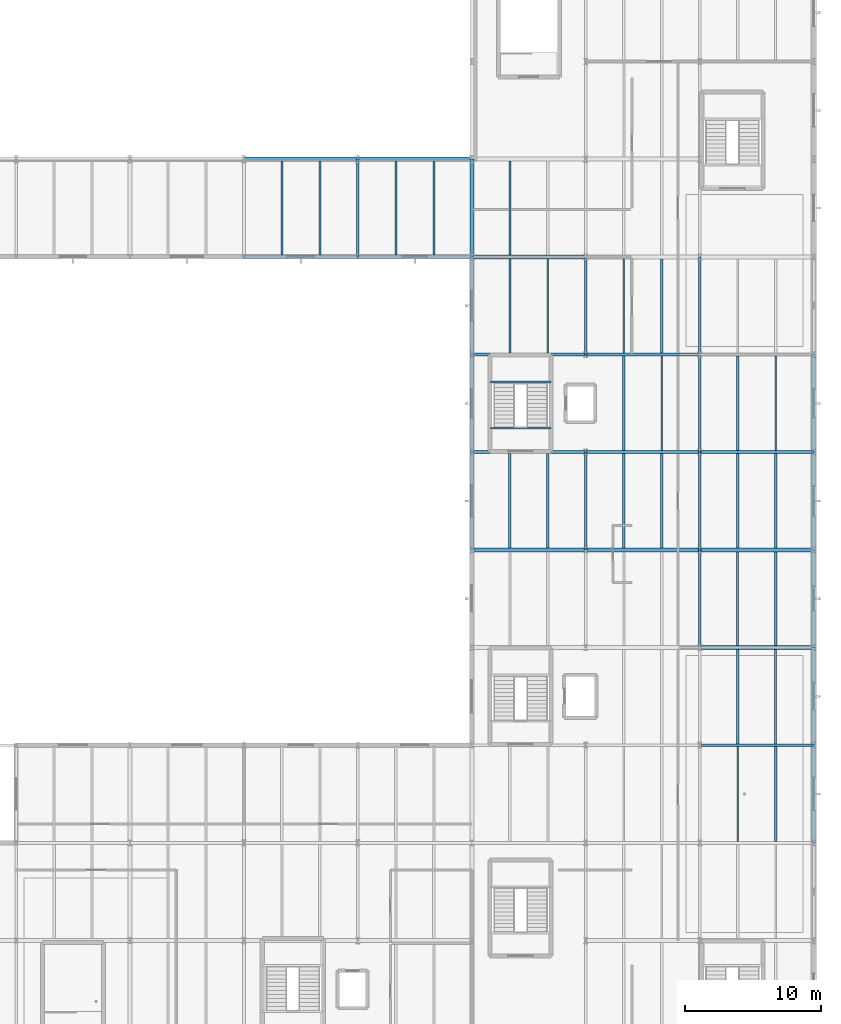
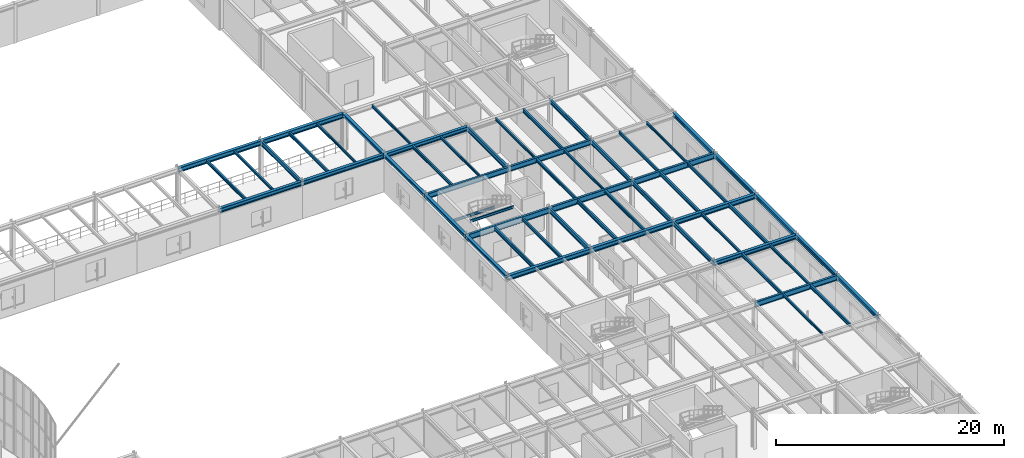
# One storey, part 43 of 109: 58 beams.
"""IFC4 building model written with IfcOpenShell, lengths in metres."""

from ifc_helpers import new_model, si_unit, derived_unit, direction, frame, origin, origin_2d, place, context, subcontext, project, spatial, i_section, extrude, material, material_profile, profile_set, type_object, element, save


model = new_model("IFC4")

# Units and contexts
model_context = context("Model", 3, precision=1e-05, world=origin(), true_north=direction((0.0, 1.0)))
body_context = subcontext(model_context, "Body", "Model", "MODEL_VIEW")
ifc_project = project(units=[si_unit("LENGTHUNIT", "METRE"), si_unit("AREAUNIT", "SQUARE_METRE"), si_unit("VOLUMEUNIT", "CUBIC_METRE"), si_unit("PLANEANGLEUNIT", "RADIAN"), si_unit("MASSUNIT", "GRAM", prefix="KILO"), derived_unit("THERMALTRANSMITTANCEUNIT", [(si_unit("MASSUNIT", "GRAM", prefix="KILO"), 1), (si_unit("TIMEUNIT", "SECOND"), -3), (si_unit("THERMODYNAMICTEMPERATUREUNIT", "KELVIN"), -1)])], contexts=[model_context])

# Site, building, storey
site_placement = place(None, origin())
site = spatial("IfcSite", under=ifc_project, at=site_placement, CompositionType="ELEMENT")
building_placement = place(site_placement, origin())
building = spatial("IfcBuilding", under=site, at=building_placement, Name="Kharveza Railside Sports Centre", CompositionType="ELEMENT")
storey_placement = place(building_placement, frame((0.0, 0.0, 4.5)))
storey = spatial("IfcBuildingStorey", under=building, at=storey_placement, Name="L01", CompositionType="ELEMENT", Elevation=4.5)

# Beams
ifc_material = material(Name="Steel S355J2", Category="steel")
ifc_material_profile_1 = material_profile(ifc_material, i_section(OverallWidth=0.219970703125, OverallDepth=0.60009765625, WebThickness=0.011962890625, FlangeThickness=0.01904296875, FilletRadius=0.02392578125, at=origin_2d()), Name="IPE 600")
ifc_profile_set_1 = profile_set([ifc_material_profile_1], Name="Steel S355J2")
beam_type_1 = type_object("IfcBeamType", Name="BM-G01", PredefinedType="T_BEAM", material=ifc_profile_set_1)
beam_1_placement = place(storey_placement, frame((142.800048828125, 57.60009765625, 3.699951171875), z_axis=(1.0, 0.0, 0.0), x_axis=(0.0, 1.0, 0.0)))
element("IfcBeam", 1, at=beam_1_placement, inside=storey, type_object=beam_type_1, Name="BM-EW-L01-B01-X1428-Y576", PredefinedType="T_BEAM", context=body_context, shape_type="SweptSolid", body=[
    extrude(i_section(OverallWidth=0.219970703125, OverallDepth=0.60009765625, WebThickness=0.011962890625, FlangeThickness=0.01904296875, FilletRadius=0.02392578125, at=origin_2d()), origin(), (0.0, 0.0, 1.0), 8.39990234375),
])
beam_2_placement = place(storey_placement, frame((151.199951171875, 57.60009765625, 3.699951171875), z_axis=(1.0, 0.0, 0.0), x_axis=(0.0, 1.0, 0.0)))
element("IfcBeam", 2, at=beam_2_placement, inside=storey, type_object=beam_type_1, Name="BM-EW-L01-B01-X1512-Y576", PredefinedType="T_BEAM", context=body_context, shape_type="SweptSolid", body=[
    extrude(i_section(OverallWidth=0.219970703125, OverallDepth=0.60009765625, WebThickness=0.011962890625, FlangeThickness=0.01904296875, FilletRadius=0.02392578125, at=origin_2d()), origin(), (0.0, 0.0, 1.0), 8.400146484375),
])
beam_3_placement = place(storey_placement, frame((159.60009765625, 57.60009765625, 3.699951171875), z_axis=(1.0, 0.0, 0.0), x_axis=(0.0, 1.0, 0.0)))
element("IfcBeam", 3, at=beam_3_placement, inside=storey, type_object=beam_type_1, Name="BM-EW-L01-B01-X1596-Y576", PredefinedType="T_BEAM", context=body_context, shape_type="SweptSolid", body=[
    extrude(i_section(OverallWidth=0.219970703125, OverallDepth=0.60009765625, WebThickness=0.011962890625, FlangeThickness=0.01904296875, FilletRadius=0.02392578125, at=origin_2d()), origin(), (0.0, 0.0, 1.0), 8.39990234375),
])
ifc_material_profile_2 = material_profile(ifc_material, i_section(OverallWidth=0.2099609375, OverallDepth=0.550048828125, WebThickness=0.010986328125, FlangeThickness=0.01708984375, FilletRadius=0.02392578125, at=origin_2d()), Name="IPE 550")
ifc_profile_set_2 = profile_set([ifc_material_profile_2], Name="Steel S355J2")
beam_type_2 = type_object("IfcBeamType", Name="BM-G02", PredefinedType="T_BEAM", material=ifc_profile_set_2)
beam_4_placement = place(storey_placement, frame((142.800048828125, 64.800048828125, 3.72509765625), z_axis=(1.0, 0.0, 0.0), x_axis=(0.0, 1.0, 0.0)))
element("IfcBeam", 4, at=beam_4_placement, inside=storey, type_object=beam_type_2, Name="BM-EW-L01-B02-X1428-Y648", PredefinedType="T_BEAM", context=body_context, shape_type="SweptSolid", body=[
    extrude(i_section(OverallWidth=0.2099609375, OverallDepth=0.550048828125, WebThickness=0.010986328125, FlangeThickness=0.01708984375, FilletRadius=0.02392578125, at=origin_2d()), origin(), (0.0, 0.0, 1.0), 8.39990234375),
])
beam_5_placement = place(storey_placement, frame((151.199951171875, 64.800048828125, 3.72509765625), z_axis=(1.0, 0.0, 0.0), x_axis=(0.0, 1.0, 0.0)))
element("IfcBeam", 5, at=beam_5_placement, inside=storey, type_object=beam_type_2, Name="BM-EW-L01-B02-X1512-Y648", PredefinedType="T_BEAM", context=body_context, shape_type="SweptSolid", body=[
    extrude(i_section(OverallWidth=0.2099609375, OverallDepth=0.550048828125, WebThickness=0.010986328125, FlangeThickness=0.01708984375, FilletRadius=0.02392578125, at=origin_2d()), origin(), (0.0, 0.0, 1.0), 8.400146484375),
])
beam_6_placement = place(storey_placement, frame((159.60009765625, 36.0, 3.72509765625), z_axis=(1.0, 0.0, 0.0), x_axis=(0.0, 1.0, 0.0)))
element("IfcBeam", 6, at=beam_6_placement, inside=storey, type_object=beam_type_2, Name="BM-EW-L01-B02-X1596-Y360", PredefinedType="T_BEAM", context=body_context, shape_type="SweptSolid", body=[
    extrude(i_section(OverallWidth=0.2099609375, OverallDepth=0.550048828125, WebThickness=0.010986328125, FlangeThickness=0.01708984375, FilletRadius=0.02392578125, at=origin_2d()), origin(), (0.0, 0.0, 1.0), 8.39990234375),
])
ifc_material_profile_3 = material_profile(ifc_material, i_section(OverallWidth=0.199951171875, OverallDepth=0.5, WebThickness=0.01025390625, FlangeThickness=0.01611328125, FilletRadius=0.02099609375, at=origin_2d()), Name="IPE 500")
ifc_profile_set_3 = profile_set([ifc_material_profile_3], Name="Steel S355J2")
beam_type_3 = type_object("IfcBeamType", Name="BM-G03", PredefinedType="T_BEAM", material=ifc_profile_set_3)
beam_7_placement = place(storey_placement, frame((151.199951171875, 50.39990234375, 3.75), z_axis=(0.0, 1.0, 0.0), x_axis=(-1.0, 0.0, 0.0)))
element("IfcBeam", 7, at=beam_7_placement, inside=storey, type_object=beam_type_3, Name="BM-NS-L01-B03-X1512-Y504", PredefinedType="T_BEAM", context=body_context, shape_type="SweptSolid", body=[
    extrude(i_section(OverallWidth=0.199951171875, OverallDepth=0.5, WebThickness=0.01025390625, FlangeThickness=0.01611328125, FilletRadius=0.02099609375, at=origin_2d()), origin(), (0.0, 0.0, 1.0), 7.2001953125),
])
beam_8_placement = place(storey_placement, frame((151.199951171875, 64.800048828125, 3.75), z_axis=(0.0, 1.0, 0.0), x_axis=(-1.0, 0.0, 0.0)))
element("IfcBeam", 8, at=beam_8_placement, inside=storey, type_object=beam_type_3, Name="BM-NS-L01-B03-X1512-Y648", PredefinedType="T_BEAM", context=body_context, shape_type="SweptSolid", body=[
    extrude(i_section(OverallWidth=0.199951171875, OverallDepth=0.5, WebThickness=0.01025390625, FlangeThickness=0.01611328125, FilletRadius=0.02099609375, at=origin_2d()), origin(), (0.0, 0.0, 1.0), 7.199951171875),
])
ifc_material_profile_4 = material_profile(ifc_material, i_section(OverallWidth=0.18994140625, OverallDepth=0.449951171875, WebThickness=0.009521484375, FlangeThickness=0.0146484375, FilletRadius=0.02099609375, at=origin_2d()), Name="IPE 450")
ifc_profile_set_4 = profile_set([ifc_material_profile_4], Name="Steel S355J2")
beam_type_4 = type_object("IfcBeamType", Name="BM-G04", PredefinedType="T_BEAM", material=ifc_profile_set_4)
for number, where, z_axis, x_axis, name in (
    (9, (134.39990234375, 72.0, 3.77490234375), (0.0, 1.0, 0.0), (-1.0, 0.0, 0.0), "BM-NS-L01-B04-X1344-Y720"),
    (10, (159.60009765625, 43.199951171875, 3.77490234375), (0.0, 1.0, 0.0), (-1.0, 0.0, 0.0), "BM-NS-L01-B04-X1596-Y432"),
):
    element("IfcBeam", number, at=place(storey_placement, frame(where, z_axis=z_axis, x_axis=x_axis)), inside=storey, type_object=beam_type_4, Name=name, PredefinedType="T_BEAM", context=body_context, shape_type="SweptSolid", body=[
        extrude(i_section(OverallWidth=0.18994140625, OverallDepth=0.449951171875, WebThickness=0.009521484375, FlangeThickness=0.0146484375, FilletRadius=0.02099609375, at=origin_2d()), origin(), (0.0, 0.0, 1.0), 7.199951171875),
    ])
beam_9_placement = place(storey_placement, frame((159.60009765625, 50.39990234375, 3.77490234375), z_axis=(0.0, 1.0, 0.0), x_axis=(-1.0, 0.0, 0.0)))
element("IfcBeam", 11, at=beam_9_placement, inside=storey, type_object=beam_type_4, Name="BM-NS-L01-B04-X1596-Y504", PredefinedType="T_BEAM", context=body_context, shape_type="SweptSolid", body=[
    extrude(i_section(OverallWidth=0.18994140625, OverallDepth=0.449951171875, WebThickness=0.009521484375, FlangeThickness=0.0146484375, FilletRadius=0.02099609375, at=origin_2d()), origin(), (0.0, 0.0, 1.0), 7.2001953125),
])
for number, where, z_axis, x_axis, name in (
    (12, (159.60009765625, 57.60009765625, 3.77490234375), (0.0, 1.0, 0.0), (-1.0, 0.0, 0.0), "BM-NS-L01-B04-X1596-Y576"),
    (13, (159.60009765625, 64.800048828125, 3.77490234375), (0.0, 1.0, 0.0), (-1.0, 0.0, 0.0), "BM-NS-L01-B04-X1596-Y648"),
):
    element("IfcBeam", number, at=place(storey_placement, frame(where, z_axis=z_axis, x_axis=x_axis)), inside=storey, type_object=beam_type_4, Name=name, PredefinedType="T_BEAM", context=body_context, shape_type="SweptSolid", body=[
        extrude(i_section(OverallWidth=0.18994140625, OverallDepth=0.449951171875, WebThickness=0.009521484375, FlangeThickness=0.0146484375, FilletRadius=0.02099609375, at=origin_2d()), origin(), (0.0, 0.0, 1.0), 7.199951171875),
    ])
ifc_material_profile_5 = material_profile(ifc_material, i_section(OverallWidth=0.300048828125, OverallDepth=0.5, WebThickness=0.014404296875, FlangeThickness=0.028076171875, FilletRadius=0.027099609375, at=origin_2d()), Name="HEB 500")
ifc_profile_set_5 = profile_set([ifc_material_profile_5], Name="Steel S355J2")
beam_type_5 = type_object("IfcBeamType", Name="BM-G05", PredefinedType="T_BEAM", material=ifc_profile_set_5)
beam_10_placement = place(storey_placement, frame((126.0, 79.199951171875, 3.75), z_axis=(1.0, 0.0, 0.0), x_axis=(0.0, 1.0, 0.0)))
element("IfcBeam", 14, at=beam_10_placement, inside=storey, type_object=beam_type_5, Name="BM-EW-L01-B05-X1260-Y792", PredefinedType="T_BEAM", context=body_context, shape_type="SweptSolid", body=[
    extrude(i_section(OverallWidth=0.300048828125, OverallDepth=0.5, WebThickness=0.014404296875, FlangeThickness=0.028076171875, FilletRadius=0.027099609375, at=origin_2d()), origin(), (0.0, 0.0, 1.0), 8.39990234375),
])
beam_11_placement = place(storey_placement, frame((134.39990234375, 79.199951171875, 3.75), z_axis=(1.0, 0.0, 0.0), x_axis=(0.0, 1.0, 0.0)))
element("IfcBeam", 15, at=beam_11_placement, inside=storey, type_object=beam_type_5, Name="BM-EW-L01-B05-X1344-Y792", PredefinedType="T_BEAM", context=body_context, shape_type="SweptSolid", body=[
    extrude(i_section(OverallWidth=0.300048828125, OverallDepth=0.5, WebThickness=0.014404296875, FlangeThickness=0.028076171875, FilletRadius=0.027099609375, at=origin_2d()), origin(), (0.0, 0.0, 1.0), 8.400146484375),
])
beam_12_placement = place(storey_placement, frame((142.800048828125, 50.39990234375, 3.75), z_axis=(1.0, 0.0, 0.0), x_axis=(0.0, 1.0, 0.0)))
element("IfcBeam", 16, at=beam_12_placement, inside=storey, type_object=beam_type_5, Name="BM-EW-L01-B05-X1428-Y504", PredefinedType="T_BEAM", context=body_context, shape_type="SweptSolid", body=[
    extrude(i_section(OverallWidth=0.300048828125, OverallDepth=0.5, WebThickness=0.014404296875, FlangeThickness=0.028076171875, FilletRadius=0.027099609375, at=origin_2d()), origin(), (0.0, 0.0, 1.0), 8.39990234375),
])
beam_13_placement = place(storey_placement, frame((151.199951171875, 50.39990234375, 3.75), z_axis=(1.0, 0.0, 0.0), x_axis=(0.0, 1.0, 0.0)))
element("IfcBeam", 17, at=beam_13_placement, inside=storey, type_object=beam_type_5, Name="BM-EW-L01-B05-X1512-Y504", PredefinedType="T_BEAM", context=body_context, shape_type="SweptSolid", body=[
    extrude(i_section(OverallWidth=0.300048828125, OverallDepth=0.5, WebThickness=0.014404296875, FlangeThickness=0.028076171875, FilletRadius=0.027099609375, at=origin_2d()), origin(), (0.0, 0.0, 1.0), 8.400146484375),
])
beam_14_placement = place(storey_placement, frame((159.60009765625, 50.39990234375, 3.75), z_axis=(1.0, 0.0, 0.0), x_axis=(0.0, 1.0, 0.0)))
element("IfcBeam", 18, at=beam_14_placement, inside=storey, type_object=beam_type_5, Name="BM-EW-L01-B05-X1596-Y504", PredefinedType="T_BEAM", context=body_context, shape_type="SweptSolid", body=[
    extrude(i_section(OverallWidth=0.300048828125, OverallDepth=0.5, WebThickness=0.014404296875, FlangeThickness=0.028076171875, FilletRadius=0.027099609375, at=origin_2d()), origin(), (0.0, 0.0, 1.0), 8.39990234375),
])
ifc_material_profile_6 = material_profile(ifc_material, i_section(OverallWidth=0.300048828125, OverallDepth=0.449951171875, WebThickness=0.013916015625, FlangeThickness=0.02587890625, FilletRadius=0.027099609375, at=origin_2d()), Name="HEB 450")
ifc_profile_set_6 = profile_set([ifc_material_profile_6], Name="Steel S355J2")
beam_type_6 = type_object("IfcBeamType", Name="BM-G06", PredefinedType="T_BEAM", material=ifc_profile_set_6)
beam_15_placement = place(storey_placement, frame((126.0, 72.0, 3.77490234375), z_axis=(1.0, 0.0, 0.0), x_axis=(0.0, 1.0, 0.0)))
element("IfcBeam", 19, at=beam_15_placement, inside=storey, type_object=beam_type_6, Name="BM-EW-L01-B06-X1260-Y720", PredefinedType="T_BEAM", context=body_context, shape_type="SweptSolid", body=[
    extrude(i_section(OverallWidth=0.300048828125, OverallDepth=0.449951171875, WebThickness=0.013916015625, FlangeThickness=0.02587890625, FilletRadius=0.027099609375, at=origin_2d()), origin(), (0.0, 0.0, 1.0), 8.39990234375),
])
beam_16_placement = place(storey_placement, frame((134.39990234375, 72.0, 3.77490234375), z_axis=(1.0, 0.0, 0.0), x_axis=(0.0, 1.0, 0.0)))
element("IfcBeam", 20, at=beam_16_placement, inside=storey, type_object=beam_type_6, Name="BM-EW-L01-B06-X1344-Y720", PredefinedType="T_BEAM", context=body_context, shape_type="SweptSolid", body=[
    extrude(i_section(OverallWidth=0.300048828125, OverallDepth=0.449951171875, WebThickness=0.013916015625, FlangeThickness=0.02587890625, FilletRadius=0.027099609375, at=origin_2d()), origin(), (0.0, 0.0, 1.0), 8.400146484375),
])
for number, where, z_axis, x_axis, name in (
    (21, (142.800048828125, 72.0, 3.77490234375), (1.0, 0.0, 0.0), (0.0, 1.0, 0.0), "BM-EW-L01-B06-X1428-Y720"),
    (22, (159.60009765625, 43.199951171875, 3.77490234375), (1.0, 0.0, 0.0), (0.0, 1.0, 0.0), "BM-EW-L01-B06-X1596-Y432"),
):
    element("IfcBeam", number, at=place(storey_placement, frame(where, z_axis=z_axis, x_axis=x_axis)), inside=storey, type_object=beam_type_6, Name=name, PredefinedType="T_BEAM", context=body_context, shape_type="SweptSolid", body=[
        extrude(i_section(OverallWidth=0.300048828125, OverallDepth=0.449951171875, WebThickness=0.013916015625, FlangeThickness=0.02587890625, FilletRadius=0.027099609375, at=origin_2d()), origin(), (0.0, 0.0, 1.0), 8.39990234375),
    ])
ifc_material_profile_7 = material_profile(ifc_material, i_section(OverallWidth=0.179931640625, OverallDepth=0.39990234375, WebThickness=0.008544921875, FlangeThickness=0.013427734375, FilletRadius=0.02099609375, at=origin_2d()), Name="IPE 400")
ifc_profile_set_7 = profile_set([ifc_material_profile_7], Name="Steel S355J2")
beam_type_7 = type_object("IfcBeamType", Name="BM-S01", PredefinedType="BEAM", material=ifc_profile_set_7)
for number, where, z_axis, x_axis, name in (
    (23, (145.60009765625, 50.547119140625, 3.800048828125), (0.0, 1.0, 0.0), (-1.0, 0.0, 0.0), "BM-SEC-L01-B09-X1456-Y504"),
    (24, (154.0, 50.547119140625, 3.800048828125), (0.0, 1.0, 0.0), (-1.0, 0.0, 0.0), "BM-SEC-L01-B09-X1540-Y504"),
):
    element("IfcBeam", number, at=place(storey_placement, frame(where, z_axis=z_axis, x_axis=x_axis)), inside=storey, type_object=beam_type_7, Name=name, PredefinedType="BEAM", context=body_context, shape_type="SweptSolid", body=[
        extrude(i_section(OverallWidth=0.179931640625, OverallDepth=0.39990234375, WebThickness=0.008544921875, FlangeThickness=0.013427734375, FilletRadius=0.02099609375, at=origin_2d()), origin(), (0.0, 0.0, 1.0), 6.94580078125),
    ])
beam_17_placement = place(storey_placement, frame((165.199951171875, 43.346923828125, 3.800048828125), z_axis=(0.0, 1.0, 0.0), x_axis=(-1.0, 0.0, 0.0)))
element("IfcBeam", 25, at=beam_17_placement, inside=storey, type_object=beam_type_7, Name="BM-SEC-L01-B09-X1652-Y432", PredefinedType="BEAM", context=body_context, shape_type="SweptSolid", body=[
    extrude(i_section(OverallWidth=0.179931640625, OverallDepth=0.39990234375, WebThickness=0.008544921875, FlangeThickness=0.013427734375, FilletRadius=0.02099609375, at=origin_2d()), origin(), (0.0, 0.0, 1.0), 6.906005859375),
])
beam_18_placement = place(storey_placement, frame((162.39990234375, 50.547119140625, 3.800048828125), z_axis=(0.0, 1.0, 0.0), x_axis=(-1.0, 0.0, 0.0)))
element("IfcBeam", 26, at=beam_18_placement, inside=storey, type_object=beam_type_7, Name="BM-SEC-L01-B09-X1624-Y504", PredefinedType="BEAM", context=body_context, shape_type="SweptSolid", body=[
    extrude(i_section(OverallWidth=0.179931640625, OverallDepth=0.39990234375, WebThickness=0.008544921875, FlangeThickness=0.013427734375, FilletRadius=0.02099609375, at=origin_2d()), origin(), (0.0, 0.0, 1.0), 6.94580078125),
])
ifc_material_profile_8 = material_profile(ifc_material, i_section(OverallWidth=0.169921875, OverallDepth=0.360107421875, WebThickness=0.008056640625, FlangeThickness=0.0126953125, FilletRadius=0.01806640625, at=origin_2d()), Name="IPE 360")
ifc_profile_set_8 = profile_set([ifc_material_profile_8], Name="Steel S355J2")
beam_type_8 = type_object("IfcBeamType", Name="BM-S02", PredefinedType="BEAM", material=ifc_profile_set_8)
beam_19_placement = place(storey_placement, frame((156.800048828125, 64.902099609375, 3.820068359375), z_axis=(0.0, 1.0, 0.0), x_axis=(-1.0, 0.0, 0.0)))
element("IfcBeam", 27, at=beam_19_placement, inside=storey, type_object=beam_type_8, Name="BM-SEC-L01-B10-X1568-Y648", PredefinedType="BEAM", context=body_context, shape_type="SweptSolid", body=[
    extrude(i_section(OverallWidth=0.169921875, OverallDepth=0.360107421875, WebThickness=0.008056640625, FlangeThickness=0.0126953125, FilletRadius=0.01806640625, at=origin_2d()), origin(), (0.0, 0.0, 1.0), 6.950927734375),
])
beam_20_placement = place(storey_placement, frame((165.199951171875, 28.906982421875, 3.820068359375), z_axis=(0.0, 1.0, 0.0), x_axis=(-1.0, 0.0, 0.0)))
element("IfcBeam", 28, at=beam_20_placement, inside=storey, type_object=beam_type_8, Name="BM-SEC-L01-B10-X1652-Y288", PredefinedType="BEAM", context=body_context, shape_type="SweptSolid", body=[
    extrude(i_section(OverallWidth=0.169921875, OverallDepth=0.360107421875, WebThickness=0.008056640625, FlangeThickness=0.0126953125, FilletRadius=0.01806640625, at=origin_2d()), origin(), (0.0, 0.0, 1.0), 6.990966796875),
])
beam_21_placement = place(storey_placement, frame((162.39990234375, 36.10205078125, 3.820068359375), z_axis=(0.0, 1.0, 0.0), x_axis=(-1.0, 0.0, 0.0)))
element("IfcBeam", 29, at=beam_21_placement, inside=storey, type_object=beam_type_8, Name="BM-SEC-L01-B10-X1624-Y360", PredefinedType="BEAM", context=body_context, shape_type="SweptSolid", body=[
    extrude(i_section(OverallWidth=0.169921875, OverallDepth=0.360107421875, WebThickness=0.008056640625, FlangeThickness=0.0126953125, FilletRadius=0.01806640625, at=origin_2d()), origin(), (0.0, 0.0, 1.0), 6.950927734375),
])
ifc_material_profile_9 = material_profile(ifc_material, i_section(OverallWidth=0.159912109375, OverallDepth=0.330078125, WebThickness=0.007568359375, FlangeThickness=0.011474609375, FilletRadius=0.01806640625, at=origin_2d()), Name="IPE 330")
ifc_profile_set_9 = profile_set([ifc_material_profile_9], Name="Steel S355J2")
beam_type_9 = type_object("IfcBeamType", Name="BM-S03", PredefinedType="BEAM", material=ifc_profile_set_9)
for number, where, z_axis, x_axis, name in (
    (30, (128.800048828125, 72.14697265625, 3.8349609375), (0.0, 1.0, 0.0), (-1.0, 0.0, 0.0), "BM-SEC-L01-B11-X1288-Y720"),
    (31, (137.199951171875, 72.14697265625, 3.8349609375), (0.0, 1.0, 0.0), (-1.0, 0.0, 0.0), "BM-SEC-L01-B11-X1372-Y720"),
):
    element("IfcBeam", number, at=place(storey_placement, frame(where, z_axis=z_axis, x_axis=x_axis)), inside=storey, type_object=beam_type_9, Name=name, PredefinedType="BEAM", context=body_context, shape_type="SweptSolid", body=[
        extrude(i_section(OverallWidth=0.159912109375, OverallDepth=0.330078125, WebThickness=0.007568359375, FlangeThickness=0.011474609375, FilletRadius=0.01806640625, at=origin_2d()), origin(), (0.0, 0.0, 1.0), 6.906005859375),
    ])
beam_22_placement = place(storey_placement, frame((148.39990234375, 50.547119140625, 3.8349609375), z_axis=(0.0, 1.0, 0.0), x_axis=(-1.0, 0.0, 0.0)))
element("IfcBeam", 32, at=beam_22_placement, inside=storey, type_object=beam_type_9, Name="BM-SEC-L01-B11-X1484-Y504", PredefinedType="BEAM", context=body_context, shape_type="SweptSolid", body=[
    extrude(i_section(OverallWidth=0.159912109375, OverallDepth=0.330078125, WebThickness=0.007568359375, FlangeThickness=0.011474609375, FilletRadius=0.01806640625, at=origin_2d()), origin(), (0.0, 0.0, 1.0), 6.94580078125),
])
beam_23_placement = place(storey_placement, frame((145.60009765625, 64.902099609375, 3.8349609375), z_axis=(0.0, 1.0, 0.0), x_axis=(-1.0, 0.0, 0.0)))
element("IfcBeam", 33, at=beam_23_placement, inside=storey, type_object=beam_type_9, Name="BM-SEC-L01-B11-X1456-Y648", PredefinedType="BEAM", context=body_context, shape_type="SweptSolid", body=[
    extrude(i_section(OverallWidth=0.159912109375, OverallDepth=0.330078125, WebThickness=0.007568359375, FlangeThickness=0.011474609375, FilletRadius=0.01806640625, at=origin_2d()), origin(), (0.0, 0.0, 1.0), 6.950927734375),
])
beam_24_placement = place(storey_placement, frame((156.800048828125, 50.547119140625, 3.8349609375), z_axis=(0.0, 1.0, 0.0), x_axis=(-1.0, 0.0, 0.0)))
element("IfcBeam", 34, at=beam_24_placement, inside=storey, type_object=beam_type_9, Name="BM-SEC-L01-B11-X1568-Y504", PredefinedType="BEAM", context=body_context, shape_type="SweptSolid", body=[
    extrude(i_section(OverallWidth=0.159912109375, OverallDepth=0.330078125, WebThickness=0.007568359375, FlangeThickness=0.011474609375, FilletRadius=0.01806640625, at=origin_2d()), origin(), (0.0, 0.0, 1.0), 6.94580078125),
])
beam_25_placement = place(storey_placement, frame((154.0, 57.70703125, 3.8349609375), z_axis=(0.0, 1.0, 0.0), x_axis=(-1.0, 0.0, 0.0)))
element("IfcBeam", 35, at=beam_25_placement, inside=storey, type_object=beam_type_9, Name="BM-SEC-L01-B11-X1540-Y576", PredefinedType="BEAM", context=body_context, shape_type="SweptSolid", body=[
    extrude(i_section(OverallWidth=0.159912109375, OverallDepth=0.330078125, WebThickness=0.007568359375, FlangeThickness=0.011474609375, FilletRadius=0.01806640625, at=origin_2d()), origin(), (0.0, 0.0, 1.0), 6.990966796875),
])
beam_26_placement = place(storey_placement, frame((165.199951171875, 50.547119140625, 3.8349609375), z_axis=(0.0, 1.0, 0.0), x_axis=(-1.0, 0.0, 0.0)))
element("IfcBeam", 36, at=beam_26_placement, inside=storey, type_object=beam_type_9, Name="BM-SEC-L01-B11-X1652-Y504", PredefinedType="BEAM", context=body_context, shape_type="SweptSolid", body=[
    extrude(i_section(OverallWidth=0.159912109375, OverallDepth=0.330078125, WebThickness=0.007568359375, FlangeThickness=0.011474609375, FilletRadius=0.01806640625, at=origin_2d()), origin(), (0.0, 0.0, 1.0), 6.94580078125),
])
beam_27_placement = place(storey_placement, frame((162.39990234375, 57.70703125, 3.8349609375), z_axis=(0.0, 1.0, 0.0), x_axis=(-1.0, 0.0, 0.0)))
element("IfcBeam", 37, at=beam_27_placement, inside=storey, type_object=beam_type_9, Name="BM-SEC-L01-B11-X1624-Y576", PredefinedType="BEAM", context=body_context, shape_type="SweptSolid", body=[
    extrude(i_section(OverallWidth=0.159912109375, OverallDepth=0.330078125, WebThickness=0.007568359375, FlangeThickness=0.011474609375, FilletRadius=0.01806640625, at=origin_2d()), origin(), (0.0, 0.0, 1.0), 6.990966796875),
])
ifc_material_profile_10 = material_profile(ifc_material, i_section(OverallWidth=0.14990234375, OverallDepth=0.300048828125, WebThickness=0.007080078125, FlangeThickness=0.0107421875, FilletRadius=0.014892578125, at=origin_2d()), Name="IPE 300")
ifc_profile_set_10 = profile_set([ifc_material_profile_10], Name="Steel S355J2")
beam_type_10 = type_object("IfcBeamType", Name="BM-S04", PredefinedType="BEAM", material=ifc_profile_set_10)
beam_28_placement = place(storey_placement, frame((165.199951171875, 36.10205078125, 3.85009765625), z_axis=(0.0, 1.0, 0.0), x_axis=(-1.0, 0.0, 0.0)))
element("IfcBeam", 38, at=beam_28_placement, inside=storey, type_object=beam_type_10, Name="BM-SEC-L01-B12-X1652-Y360", PredefinedType="BEAM", context=body_context, shape_type="SweptSolid", body=[
    extrude(i_section(OverallWidth=0.14990234375, OverallDepth=0.300048828125, WebThickness=0.007080078125, FlangeThickness=0.0107421875, FilletRadius=0.014892578125, at=origin_2d()), origin(), (0.0, 0.0, 1.0), 6.950927734375),
])
beam_29_placement = place(storey_placement, frame((162.39990234375, 43.346923828125, 3.85009765625), z_axis=(0.0, 1.0, 0.0), x_axis=(-1.0, 0.0, 0.0)))
element("IfcBeam", 39, at=beam_29_placement, inside=storey, type_object=beam_type_10, Name="BM-SEC-L01-B12-X1624-Y432", PredefinedType="BEAM", context=body_context, shape_type="SweptSolid", body=[
    extrude(i_section(OverallWidth=0.14990234375, OverallDepth=0.300048828125, WebThickness=0.007080078125, FlangeThickness=0.0107421875, FilletRadius=0.014892578125, at=origin_2d()), origin(), (0.0, 0.0, 1.0), 6.906005859375),
])
ifc_material_profile_11 = material_profile(ifc_material, i_section(OverallWidth=0.135009765625, OverallDepth=0.27001953125, WebThickness=0.006591796875, FlangeThickness=0.01025390625, FilletRadius=0.014892578125, at=origin_2d()), Name="IPE 270")
ifc_profile_set_11 = profile_set([ifc_material_profile_11], Name="Steel S355J2")
beam_type_11 = type_object("IfcBeamType", Name="BM-S05", PredefinedType="BEAM", material=ifc_profile_set_11)
for number, where, z_axis, x_axis, name in (
    (40, (131.60009765625, 72.14697265625, 3.864990234375), (0.0, 1.0, 0.0), (-1.0, 0.0, 0.0), "BM-SEC-L01-B13-X1316-Y720"),
    (41, (140.0, 72.14697265625, 3.864990234375), (0.0, 1.0, 0.0), (-1.0, 0.0, 0.0), "BM-SEC-L01-B13-X1400-Y720"),
):
    element("IfcBeam", number, at=place(storey_placement, frame(where, z_axis=z_axis, x_axis=x_axis)), inside=storey, type_object=beam_type_11, Name=name, PredefinedType="BEAM", context=body_context, shape_type="SweptSolid", body=[
        extrude(i_section(OverallWidth=0.135009765625, OverallDepth=0.27001953125, WebThickness=0.006591796875, FlangeThickness=0.01025390625, FilletRadius=0.014892578125, at=origin_2d()), origin(), (0.0, 0.0, 1.0), 6.906005859375),
    ])
beam_30_placement = place(storey_placement, frame((148.39990234375, 64.902099609375, 3.864990234375), z_axis=(0.0, 1.0, 0.0), x_axis=(-1.0, 0.0, 0.0)))
element("IfcBeam", 42, at=beam_30_placement, inside=storey, type_object=beam_type_11, Name="BM-SEC-L01-B13-X1484-Y648", PredefinedType="BEAM", context=body_context, shape_type="SweptSolid", body=[
    extrude(i_section(OverallWidth=0.135009765625, OverallDepth=0.27001953125, WebThickness=0.006591796875, FlangeThickness=0.01025390625, FilletRadius=0.014892578125, at=origin_2d()), origin(), (0.0, 0.0, 1.0), 6.950927734375),
])
beam_31_placement = place(storey_placement, frame((145.60009765625, 72.14697265625, 3.864990234375), z_axis=(0.0, 1.0, 0.0), x_axis=(-1.0, 0.0, 0.0)))
element("IfcBeam", 43, at=beam_31_placement, inside=storey, type_object=beam_type_11, Name="BM-SEC-L01-B13-X1456-Y720", PredefinedType="BEAM", context=body_context, shape_type="SweptSolid", body=[
    extrude(i_section(OverallWidth=0.135009765625, OverallDepth=0.27001953125, WebThickness=0.006591796875, FlangeThickness=0.01025390625, FilletRadius=0.014892578125, at=origin_2d()), origin(), (0.0, 0.0, 1.0), 6.906005859375),
])
beam_32_placement = place(storey_placement, frame((156.800048828125, 57.70703125, 3.864990234375), z_axis=(0.0, 1.0, 0.0), x_axis=(-1.0, 0.0, 0.0)))
element("IfcBeam", 44, at=beam_32_placement, inside=storey, type_object=beam_type_11, Name="BM-SEC-L01-B13-X1568-Y576", PredefinedType="BEAM", context=body_context, shape_type="SweptSolid", body=[
    extrude(i_section(OverallWidth=0.135009765625, OverallDepth=0.27001953125, WebThickness=0.006591796875, FlangeThickness=0.01025390625, FilletRadius=0.014892578125, at=origin_2d()), origin(), (0.0, 0.0, 1.0), 6.990966796875),
])
beam_33_placement = place(storey_placement, frame((154.0, 64.902099609375, 3.864990234375), z_axis=(0.0, 1.0, 0.0), x_axis=(-1.0, 0.0, 0.0)))
element("IfcBeam", 45, at=beam_33_placement, inside=storey, type_object=beam_type_11, Name="BM-SEC-L01-B13-X1540-Y648", PredefinedType="BEAM", context=body_context, shape_type="SweptSolid", body=[
    extrude(i_section(OverallWidth=0.135009765625, OverallDepth=0.27001953125, WebThickness=0.006591796875, FlangeThickness=0.01025390625, FilletRadius=0.014892578125, at=origin_2d()), origin(), (0.0, 0.0, 1.0), 6.950927734375),
])
for number, where, z_axis, x_axis, name in (
    (46, (162.39990234375, 28.906982421875, 3.864990234375), (0.0, 1.0, 0.0), (-1.0, 0.0, 0.0), "BM-SEC-L01-B13-X1624-Y288"),
    (47, (165.199951171875, 57.70703125, 3.864990234375), (0.0, 1.0, 0.0), (-1.0, 0.0, 0.0), "BM-SEC-L01-B13-X1652-Y576"),
):
    element("IfcBeam", number, at=place(storey_placement, frame(where, z_axis=z_axis, x_axis=x_axis)), inside=storey, type_object=beam_type_11, Name=name, PredefinedType="BEAM", context=body_context, shape_type="SweptSolid", body=[
        extrude(i_section(OverallWidth=0.135009765625, OverallDepth=0.27001953125, WebThickness=0.006591796875, FlangeThickness=0.01025390625, FilletRadius=0.014892578125, at=origin_2d()), origin(), (0.0, 0.0, 1.0), 6.990966796875),
    ])
for number, where, z_axis, x_axis, name in (
    (48, (144.179931640625, 62.77001953125, 1.780029296875), (1.0, 0.0, 0.0), (0.0, 1.0, 0.0), "BM-HLND-ST2-L01"),
    (49, (144.179931640625, 59.360107421875, 3.8798828125), (1.0, 0.0, 0.0), (0.0, 1.0, 0.0), "BM-STLND-ST2-L02"),
):
    element("IfcBeam", number, at=place(storey_placement, frame(where, z_axis=z_axis, x_axis=x_axis)), inside=storey, type_object=beam_type_11, Name=name, PredefinedType="BEAM", context=body_context, shape_type="SweptSolid", body=[
        extrude(i_section(OverallWidth=0.135009765625, OverallDepth=0.27001953125, WebThickness=0.006591796875, FlangeThickness=0.01025390625, FilletRadius=0.014892578125, at=origin_2d()), origin(), (0.0, 0.0, 1.0), 4.440185546875),
    ])
ifc_material_profile_12 = material_profile(ifc_material, i_section(OverallWidth=0.300048828125, OverallDepth=0.31005859375, WebThickness=0.009033203125, FlangeThickness=0.015380859375, FilletRadius=0.027099609375, at=origin_2d()), Name="HEA 320")
ifc_profile_set_12 = profile_set([ifc_material_profile_12], Name="Steel S355J2")
beam_type_12 = type_object("IfcBeamType", Name="BM-S06", PredefinedType="BEAM", material=ifc_profile_set_12)
beam_34_placement = place(storey_placement, frame((142.800048828125, 50.39990234375, 3.844970703125), z_axis=(0.0, 1.0, 0.0), x_axis=(-1.0, 0.0, 0.0)))
element("IfcBeam", 50, at=beam_34_placement, inside=storey, type_object=beam_type_12, Name="BM-NS-L01-B14-X1428-Y504", PredefinedType="BEAM", context=body_context, shape_type="SweptSolid", body=[
    extrude(i_section(OverallWidth=0.300048828125, OverallDepth=0.31005859375, WebThickness=0.009033203125, FlangeThickness=0.015380859375, FilletRadius=0.027099609375, at=origin_2d()), origin(), (0.0, 0.0, 1.0), 7.2001953125),
])
for number, where, z_axis, x_axis, name in (
    (51, (142.800048828125, 57.60009765625, 3.844970703125), (0.0, 1.0, 0.0), (-1.0, 0.0, 0.0), "BM-NS-L01-B14-X1428-Y576"),
    (52, (142.800048828125, 64.800048828125, 3.844970703125), (0.0, 1.0, 0.0), (-1.0, 0.0, 0.0), "BM-NS-L01-B14-X1428-Y648"),
    (53, (142.800048828125, 72.0, 3.844970703125), (0.0, 1.0, 0.0), (-1.0, 0.0, 0.0), "BM-NS-L01-B14-X1428-Y720"),
):
    element("IfcBeam", number, at=place(storey_placement, frame(where, z_axis=z_axis, x_axis=x_axis)), inside=storey, type_object=beam_type_12, Name=name, PredefinedType="BEAM", context=body_context, shape_type="SweptSolid", body=[
        extrude(i_section(OverallWidth=0.300048828125, OverallDepth=0.31005859375, WebThickness=0.009033203125, FlangeThickness=0.015380859375, FilletRadius=0.027099609375, at=origin_2d()), origin(), (0.0, 0.0, 1.0), 7.199951171875),
    ])
ifc_material_profile_13 = material_profile(ifc_material, i_section(OverallWidth=0.300048828125, OverallDepth=0.43994140625, WebThickness=0.011474609375, FlangeThickness=0.02099609375, FilletRadius=0.027099609375, at=origin_2d()), Name="HEA 450")
ifc_profile_set_13 = profile_set([ifc_material_profile_13], Name="Steel S355J2")
beam_type_13 = type_object("IfcBeamType", Name="BM-SP01", PredefinedType="SPANDREL", material=ifc_profile_set_13)
for number, where, z_axis, x_axis, name in (
    (54, (168.0, 28.800048828125, 3.780029296875), (0.0, 1.0, 0.0), (-1.0, 0.0, 0.0), "BM-NS-L01-B15-X1680-Y288"),
    (55, (168.0, 36.0, 3.780029296875), (0.0, 1.0, 0.0), (-1.0, 0.0, 0.0), "BM-NS-L01-B15-X1680-Y360"),
    (56, (168.0, 43.199951171875, 3.780029296875), (0.0, 1.0, 0.0), (-1.0, 0.0, 0.0), "BM-NS-L01-B15-X1680-Y432"),
):
    element("IfcBeam", number, at=place(storey_placement, frame(where, z_axis=z_axis, x_axis=x_axis)), inside=storey, type_object=beam_type_13, Name=name, PredefinedType="SPANDREL", context=body_context, shape_type="SweptSolid", body=[
        extrude(i_section(OverallWidth=0.300048828125, OverallDepth=0.43994140625, WebThickness=0.011474609375, FlangeThickness=0.02099609375, FilletRadius=0.027099609375, at=origin_2d()), origin(), (0.0, 0.0, 1.0), 7.199951171875),
    ])
beam_35_placement = place(storey_placement, frame((168.0, 50.39990234375, 3.780029296875), z_axis=(0.0, 1.0, 0.0), x_axis=(-1.0, 0.0, 0.0)))
element("IfcBeam", 57, at=beam_35_placement, inside=storey, type_object=beam_type_13, Name="BM-NS-L01-B15-X1680-Y504", PredefinedType="SPANDREL", context=body_context, shape_type="SweptSolid", body=[
    extrude(i_section(OverallWidth=0.300048828125, OverallDepth=0.43994140625, WebThickness=0.011474609375, FlangeThickness=0.02099609375, FilletRadius=0.027099609375, at=origin_2d()), origin(), (0.0, 0.0, 1.0), 7.2001953125),
])
beam_36_placement = place(storey_placement, frame((168.0, 57.60009765625, 3.780029296875), z_axis=(0.0, 1.0, 0.0), x_axis=(-1.0, 0.0, 0.0)))
element("IfcBeam", 58, at=beam_36_placement, inside=storey, type_object=beam_type_13, Name="BM-NS-L01-B15-X1680-Y576", PredefinedType="SPANDREL", context=body_context, shape_type="SweptSolid", body=[
    extrude(i_section(OverallWidth=0.300048828125, OverallDepth=0.43994140625, WebThickness=0.011474609375, FlangeThickness=0.02099609375, FilletRadius=0.027099609375, at=origin_2d()), origin(), (0.0, 0.0, 1.0), 7.199951171875),
])

save(model, "model.ifc")
